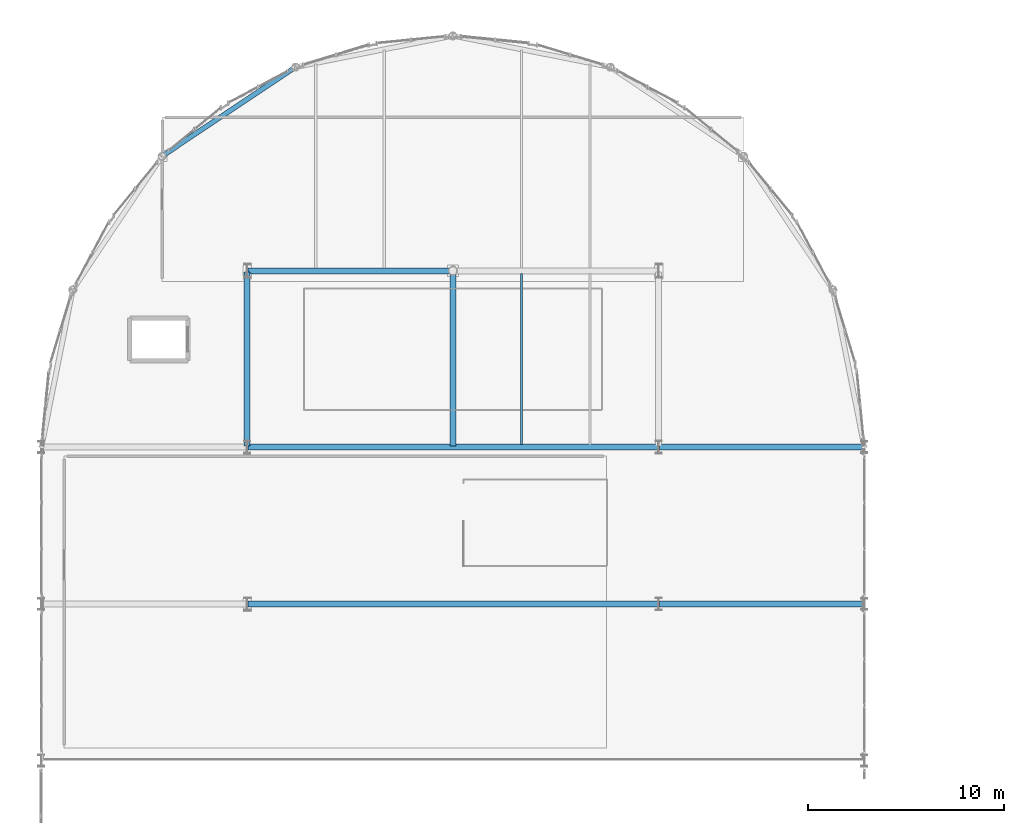
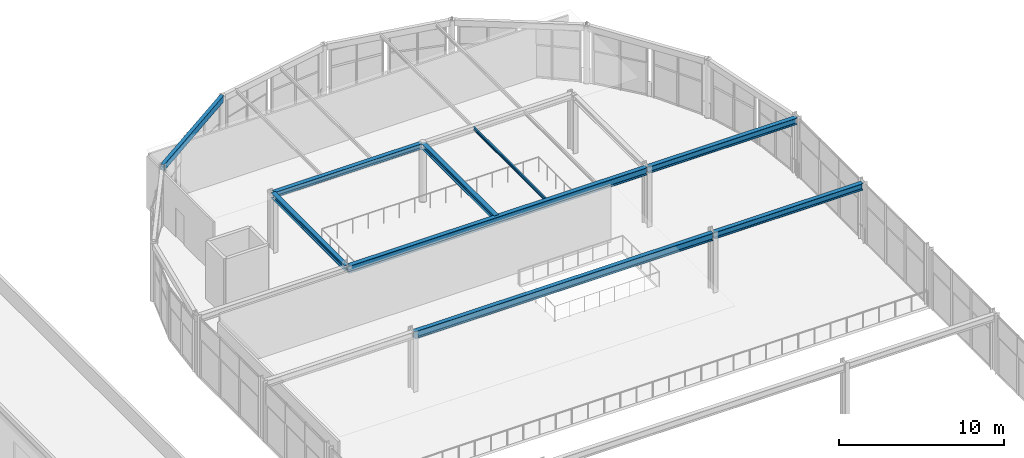
# One storey, part 35 of 105: 9 beams.
"""IFC4 building model written with IfcOpenShell, lengths in metres."""

from ifc_helpers import new_model, si_unit, direction, frame, origin, origin_2d, place, context, subcontext, project, spatial, hollow_rectangle, i_section, extrude, material, material_profile, profile_set, type_object, element, save


model = new_model("IFC4")

# Units and contexts
model_context = context("Model", 3, precision=1e-05, world=origin(), true_north=direction((0.0, 1.0)))
body_context = subcontext(model_context, "Body", "Model", "MODEL_VIEW")
ifc_project = project(units=[si_unit("LENGTHUNIT", "METRE"), si_unit("AREAUNIT", "SQUARE_METRE"), si_unit("VOLUMEUNIT", "CUBIC_METRE"), si_unit("PLANEANGLEUNIT", "RADIAN"), si_unit("MASSUNIT", "GRAM", prefix="KILO")], contexts=[model_context])

# Site, building, storey
site_placement = place(None, origin())
site = spatial("IfcSite", under=ifc_project, at=site_placement, CompositionType="ELEMENT")
building_placement = place(site_placement, origin())
building = spatial("IfcBuilding", under=site, at=building_placement, Name="Marlcrest Central Station", CompositionType="ELEMENT")
storey_placement = place(building_placement, frame((0.0, 0.0, 15.0)))
storey = spatial("IfcBuildingStorey", under=building, at=storey_placement, Name="L03", CompositionType="ELEMENT", Elevation=15.0)

# Beams
ifc_material = material(Name="Steel S355", Category="steel")
ifc_material_profile_1 = material_profile(ifc_material, i_section(OverallWidth=0.300048828125, OverallDepth=0.389892578125, WebThickness=0.010986328125, FlangeThickness=0.01904296875, FilletRadius=0.027099609375, at=origin_2d()), Name="HEA 400")
ifc_profile_set_1 = profile_set([ifc_material_profile_1], Name="Steel S355")
beam_type_1 = type_object("IfcBeamType", Name="BM-08", PredefinedType="BEAM", material=ifc_profile_set_1)
beam_1_placement = place(storey_placement, frame((97.550048828125, 119.5, 4.1298828125), z_axis=(1.0, 0.0, 0.0), x_axis=(0.0, 1.0, 0.0)))
element("IfcBeam", 1, at=beam_1_placement, inside=storey, type_object=beam_type_1, Name="bm-BM-08-L03-01526", PredefinedType="BEAM", context=body_context, shape_type="SweptSolid", body=[
    extrude(i_section(OverallWidth=0.300048828125, OverallDepth=0.389892578125, WebThickness=0.010986328125, FlangeThickness=0.01904296875, FilletRadius=0.027099609375, at=origin_2d()), origin(), (0.0, 0.0, 1.0), 10.39990234375),
])
for number, where, z_axis, x_axis, name in (
    (2, (97.5, 110.550048828125, 4.1298828125), (0.0, 1.0, 0.0), (-1.0, 0.0, 0.0), "bm-BM-08-L03-01528"),
    (3, (108.0, 110.550048828125, 4.1298828125), (0.0, 1.0, 0.0), (-1.0, 0.0, 0.0), "bm-BM-08-L03-01529"),
):
    element("IfcBeam", number, at=place(storey_placement, frame(where, z_axis=z_axis, x_axis=x_axis)), inside=storey, type_object=beam_type_1, Name=name, PredefinedType="BEAM", context=body_context, shape_type="SweptSolid", body=[
        extrude(i_section(OverallWidth=0.300048828125, OverallDepth=0.389892578125, WebThickness=0.010986328125, FlangeThickness=0.01904296875, FilletRadius=0.027099609375, at=origin_2d()), origin(), (0.0, 0.0, 1.0), 8.89990234375),
    ])
ifc_material_profile_2 = material_profile(ifc_material, i_section(OverallWidth=0.300048828125, OverallDepth=0.489990234375, WebThickness=0.011962890625, FlangeThickness=0.02294921875, FilletRadius=0.027099609375, at=origin_2d()), Name="HEA 500")
ifc_profile_set_2 = profile_set([ifc_material_profile_2], Name="Steel S355")
beam_type_2 = type_object("IfcBeamType", Name="BM-10", PredefinedType="BEAM", material=ifc_profile_set_2)
for number, where, z_axis, x_axis, name in (
    (4, (118.550048828125, 102.5, 4.074951171875), (1.0, 0.0, 0.0), (0.0, 1.0, 0.0), "bm-BM-10-L03-01222"),
    (5, (118.550048828125, 110.5, 4.074951171875), (1.0, 0.0, 0.0), (0.0, 1.0, 0.0), "bm-BM-10-L03-01229"),
):
    element("IfcBeam", number, at=place(storey_placement, frame(where, z_axis=z_axis, x_axis=x_axis)), inside=storey, type_object=beam_type_2, Name=name, PredefinedType="BEAM", context=body_context, shape_type="SweptSolid", body=[
        extrude(i_section(OverallWidth=0.300048828125, OverallDepth=0.489990234375, WebThickness=0.011962890625, FlangeThickness=0.02294921875, FilletRadius=0.027099609375, at=origin_2d()), origin(), (0.0, 0.0, 1.0), 10.39990234375),
    ])
ifc_material_profile_3 = material_profile(ifc_material, i_section(OverallWidth=0.300048828125, OverallDepth=0.550048828125, WebThickness=0.014892578125, FlangeThickness=0.029052734375, FilletRadius=0.027099609375, at=origin_2d()), Name="HEB 550")
ifc_profile_set_3 = profile_set([ifc_material_profile_3], Name="Steel S355")
beam_type_3 = type_object("IfcBeamType", Name="BM-11", PredefinedType="BEAM", material=ifc_profile_set_3)
for number, where, z_axis, x_axis, name in (
    (6, (97.550048828125, 102.5, 4.044921875), (1.0, 0.0, 0.0), (0.0, 1.0, 0.0), "bm-BM-11-L03-01223"),
    (7, (97.550048828125, 110.5, 4.044921875), (1.0, 0.0, 0.0), (0.0, 1.0, 0.0), "bm-BM-11-L03-01230"),
):
    element("IfcBeam", number, at=place(storey_placement, frame(where, z_axis=z_axis, x_axis=x_axis)), inside=storey, type_object=beam_type_3, Name=name, PredefinedType="BEAM", context=body_context, shape_type="SweptSolid", body=[
        extrude(i_section(OverallWidth=0.300048828125, OverallDepth=0.550048828125, WebThickness=0.014892578125, FlangeThickness=0.029052734375, FilletRadius=0.027099609375, at=origin_2d()), origin(), (0.0, 0.0, 1.0), 20.89990234375),
    ])
ifc_material_profile_4 = material_profile(ifc_material, i_section(OverallWidth=0.110107421875, OverallDepth=0.219970703125, WebThickness=0.005859375, FlangeThickness=0.00927734375, FilletRadius=0.011962890625, at=origin_2d()), Name="IPE 220")
ifc_profile_set_4 = profile_set([ifc_material_profile_4], Name="Steel S355")
beam_type_4 = type_object("IfcBeamType", Name="JS-02", PredefinedType="JOIST", material=ifc_profile_set_4)
beam_2_placement = place(storey_placement, frame((111.5, 110.64794921875, 4.215087890625), z_axis=(0.0, 1.0, 0.0), x_axis=(-1.0, 0.0, 0.0)))
element("IfcBeam", 8, at=beam_2_placement, inside=storey, type_object=beam_type_4, Name="bm-JS-02-L03-01534", PredefinedType="JOIST", context=body_context, shape_type="SweptSolid", body=[
    extrude(i_section(OverallWidth=0.110107421875, OverallDepth=0.219970703125, WebThickness=0.005859375, FlangeThickness=0.00927734375, FilletRadius=0.011962890625, at=origin_2d()), origin(), (0.0, 0.0, 1.0), 8.7041015625),
])
ifc_material_profile_5 = material_profile(ifc_material, hollow_rectangle(XDim=0.25, YDim=0.449951171875, WallThickness=0.01611328125, at=origin_2d()), Name="RHS 450x250x16")
ifc_profile_set_5 = profile_set([ifc_material_profile_5], Name="Steel S355")
beam_type_5 = type_object("IfcBeamType", Name="SP-02", PredefinedType="SPANDREL", material=ifc_profile_set_5)
beam_3_placement = place(storey_placement, frame((93.15087890625, 125.34912109375, 4.10009765625), z_axis=(0.831508991937, 0.55551129271, 0.0), x_axis=(-0.55551129271, 0.831508991937, 0.0)))
element("IfcBeam", 9, at=beam_3_placement, inside=storey, type_object=beam_type_5, Name="bm-SP-02-L03-01520", PredefinedType="SPANDREL", context=body_context, shape_type="SweptSolid", body=[
    extrude(hollow_rectangle(XDim=0.25, YDim=0.449951171875, WallThickness=0.01611328125, at=origin_2d()), origin(), (0.0, 0.0, 1.0), 8.19384765625),
])

save(model, "model.ifc")
